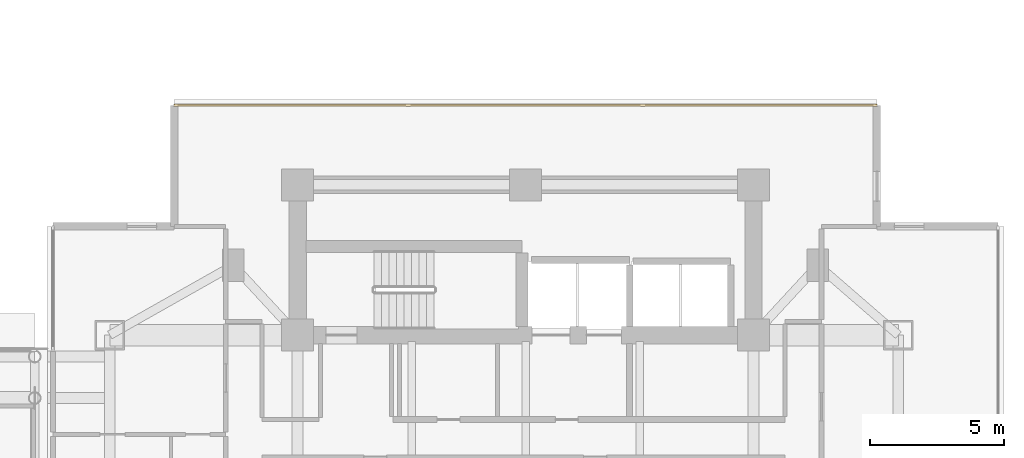
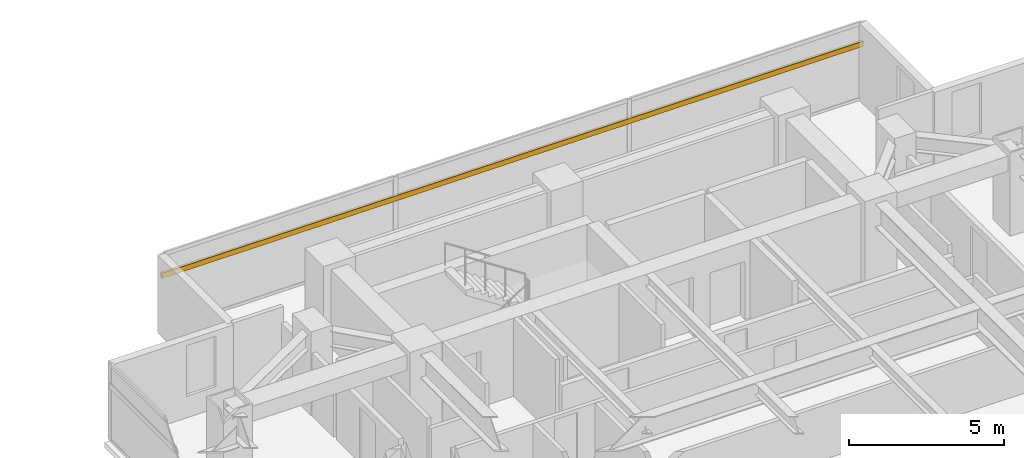
# One storey, part 27 of 27: 1 shading device.
"""IFC4 building model written with IfcOpenShell, lengths in metres."""

from ifc_helpers import new_model, si_unit, direction, frame, origin, origin_2d, place, context, subcontext, project, spatial, rectangle, extrude, material, material_profile, profile_set, type_object, element, save


model = new_model("IFC4")

# Units and contexts
model_context = context("Model", 3, precision=1e-05, world=origin(), true_north=direction((0.0, 1.0)))
body_context = subcontext(model_context, "Body", "Model", "MODEL_VIEW")
ifc_project = project(units=[si_unit("LENGTHUNIT", "METRE"), si_unit("AREAUNIT", "SQUARE_METRE"), si_unit("VOLUMEUNIT", "CUBIC_METRE"), si_unit("PLANEANGLEUNIT", "RADIAN"), si_unit("MASSUNIT", "GRAM", prefix="KILO")], contexts=[model_context])

# Site, building, storey
site_placement = place(None, origin())
site = spatial("IfcSite", under=ifc_project, at=site_placement, CompositionType="ELEMENT")
building_placement = place(site_placement, origin())
building = spatial("IfcBuilding", under=site, at=building_placement, Name="Mirazonda Arch Towers", CompositionType="ELEMENT")
storey_placement = place(building_placement, frame((0.0, 0.0, 95.0)))
storey = spatial("IfcBuildingStorey", under=building, at=storey_placement, Name="L26", CompositionType="ELEMENT", Elevation=95.0)

# Shading device
ifc_material = material(Name="Kiln-Fired Architectural Terracotta", Category="masonry")
ifc_material_profile = material_profile(ifc_material, rectangle(XDim=0.10009765625, YDim=0.199951171875, at=origin_2d()), Name="TERRA-BAG-100x200")
ifc_profile_set = profile_set([ifc_material_profile], Name="Kiln-Fired Architectural Terracotta")
shading_device_type = type_object("IfcShadingDeviceType", Name="BAGUETTE-2", PredefinedType="USERDEFINED", material=ifc_profile_set)
shading_device_placement = place(storey_placement, frame((63.397705078125, 43.76416015625, 2.203125), z_axis=(1.0, 0.0, 0.0), x_axis=(0.0, 1.0, 0.0)))
element("IfcShadingDevice", 1, at=shading_device_placement, inside=storey, type_object=shading_device_type, Name="L26 Glazed Terracotta Sun-Screen Baguette CW-L26-T2-N", ObjectType="BAGUETTE", PredefinedType="USERDEFINED", context=body_context, shape_type="SweptSolid", body=[
    extrude(rectangle(XDim=0.10009765625, YDim=0.199951171875, at=origin_2d()), origin(), (0.0, 0.0, 1.0), 26.20458984375),
])

save(model, "model.ifc")
